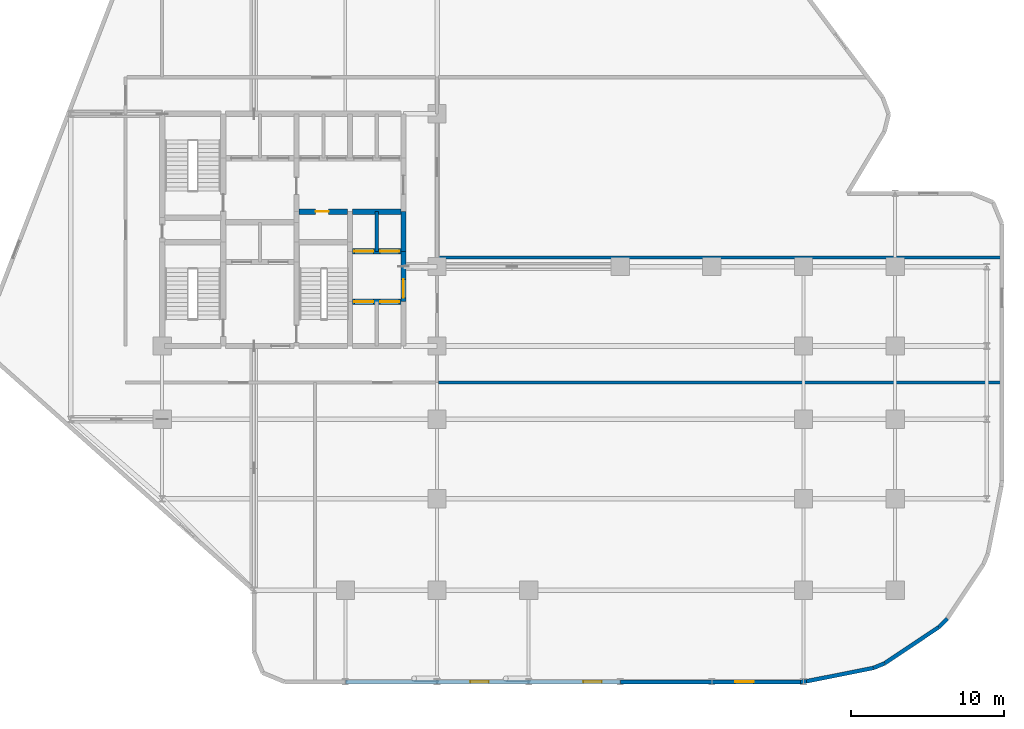
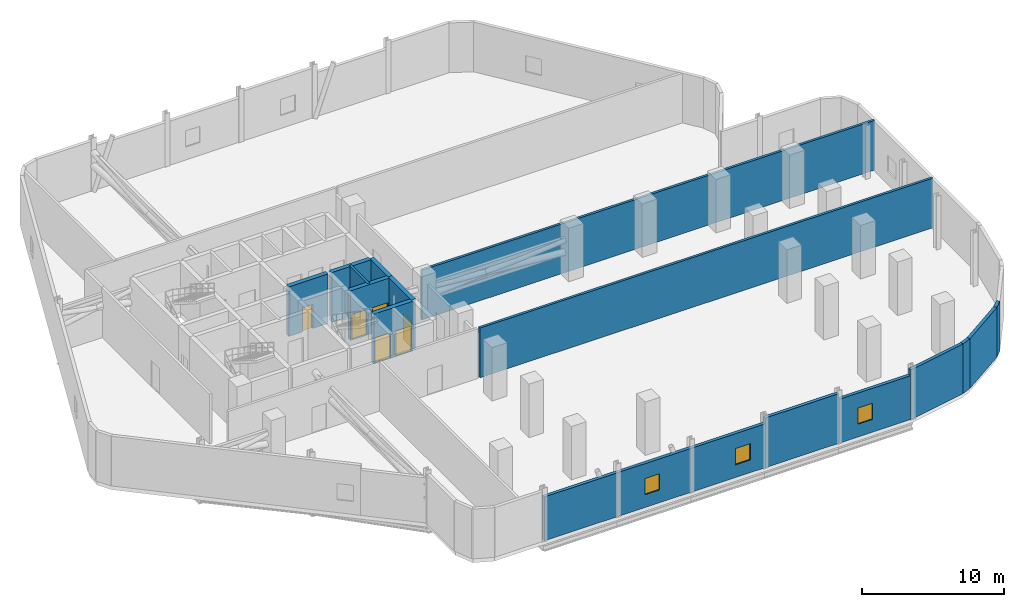
# One storey, part 6 of 9: 17 walls, 6 doors, 3 windows, 9 openings.
"""IFC4 building model written with IfcOpenShell, lengths in metres."""

from ifc_helpers import new_model, si_unit, direction, frame, frame_2d, origin, place, context, subcontext, project, spatial, rectangle, extrude, material, layer, layer_set, type_object, element, fill, save


model = new_model("IFC4")

# Units and contexts
model_context = context("Model", 3, precision=1e-05, world=origin(), true_north=direction((0.0, 1.0)))
body_context = subcontext(model_context, "Body", "Model", "MODEL_VIEW")
ifc_project = project(units=[si_unit("LENGTHUNIT", "METRE"), si_unit("AREAUNIT", "SQUARE_METRE"), si_unit("VOLUMEUNIT", "CUBIC_METRE"), si_unit("PLANEANGLEUNIT", "RADIAN"), si_unit("MASSUNIT", "GRAM", prefix="KILO")], contexts=[model_context])

# Site, building, storey
site_placement = place(None, origin())
site = spatial("IfcSite", under=ifc_project, at=site_placement, CompositionType="ELEMENT")
building_placement = place(site_placement, origin())
building = spatial("IfcBuilding", under=site, at=building_placement, Name="Keshet Zoharim Tower", CompositionType="ELEMENT")
storey_placement = place(building_placement, frame((0.0, 0.0, 61.0)))
storey = spatial("IfcBuildingStorey", under=building, at=storey_placement, Name="L14", CompositionType="ELEMENT", Elevation=61.0)

# Wall, opening, door
ifc_material_1 = material(Name="Concrete C60/75", Category="concrete")
ifc_layer_1 = layer(ifc_material_1, 0.35009765625)
ifc_layer_set_1 = layer_set([ifc_layer_1], Name="Concrete C60/75")
wall_type_1 = type_object("IfcWallType", Name="WL-CORE-350", PredefinedType="SHEAR", material=ifc_layer_set_1)
wall_1_placement = place(storey_placement, frame((30.800048828125, 25.60009765625, 0.0), z_axis=(0.0, 0.0, 1.0), x_axis=(0.0, 1.0, 0.0)))
wall_1 = element("IfcWall", 1, at=wall_1_placement, inside=storey, type_object=wall_type_1, Name="L14 Core Shear Wall 030", PredefinedType="SHEAR", context=body_context, shape_type="SweptSolid", body=[
    extrude(rectangle(XDim=3.2998046875, YDim=0.35009765625, at=frame_2d((1.64990234375, 0.0))), origin(), (0.0, 0.0, 1.0), 4.280029296875),
])
opening_1_placement = place(wall_1_placement, frame((0.2529296875, 0.0, 0.0)))
opening_1 = element("IfcOpeningElement", 2, at=opening_1_placement, cuts=wall_1, Name="Opening D-F612", PredefinedType="OPENING", context=body_context, shape_type="SweptSolid", body=[
    extrude(rectangle(XDim=1.199951171875, YDim=2.199951171875, at=frame_2d((0.60009765625, 1.10009765625))), frame((0.0, 0.18505859375, 0.0), z_axis=(0.0, -1.0, 0.0), x_axis=(1.0, 0.0, 0.0)), (0.0, 0.0, 1.0), 0.3701171875),
])
ifc_material_2 = material(Name="Hardwood Timber", Category="wood")
door_type_1 = type_object("IfcDoorType", Name="DR-FD60-120", OperationType="NOTDEFINED", PredefinedType="DOOR", material=ifc_material_2)
door_1_placement = place(opening_1_placement, origin())
door_1 = element("IfcDoor", 3, at=door_1_placement, inside=storey, type_object=door_type_1, Name="L14 East Lift Lobby Fire Door", OperationType="SINGLE_SWING_LEFT", OverallHeight=2.199951171875, OverallWidth=1.199951171875, PredefinedType="DOOR", context=body_context, shape_type="SweptSolid", body=[
    extrude(rectangle(XDim=1.199951171875, YDim=2.199951171875, at=frame_2d((0.60009765625, 1.10009765625))), frame((0.0, 0.02490234375, 0.0), z_axis=(0.0, -1.0, 0.0), x_axis=(1.0, 0.0, 0.0)), (0.0, 0.0, 1.0), 0.050048828125),
])
fill(opening_1, door_1)

# Wall
wall_2_placement = place(storey_placement, frame((30.800048828125, 28.89990234375, 0.0), z_axis=(0.0, 0.0, 1.0), x_axis=(0.0, 1.0, 0.0)))
element("IfcWall", 4, at=wall_2_placement, inside=storey, type_object=wall_type_1, Name="L14 Core Shear Wall 031", PredefinedType="SHEAR", context=body_context, shape_type="SweptSolid", body=[
    extrude(rectangle(XDim=2.60009765625, YDim=0.35009765625, at=frame_2d((1.300048828125, 0.0))), origin(), (0.0, 0.0, 1.0), 4.280029296875),
])

# Wall, openings, doors
wall_3_placement = place(storey_placement, frame((27.4599609375, 25.60009765625, 0.0), z_axis=(0.0, 0.0, 1.0), x_axis=(1.0, 0.0, 0.0)))
wall_3 = element("IfcWall", 5, at=wall_3_placement, inside=storey, type_object=wall_type_1, Name="L14 Core Shear Wall 042", PredefinedType="SHEAR", context=body_context, shape_type="SweptSolid", body=[
    extrude(rectangle(XDim=3.179931640625, YDim=0.35009765625, at=frame_2d((1.58984375, 0.0))), origin(), (0.0, 0.0, 1.0), 4.280029296875),
])
opening_2_placement = place(wall_3_placement, frame((0.1201171875, 0.0, 0.0)))
opening_2 = element("IfcOpeningElement", 6, at=opening_2_placement, cuts=wall_3, Name="Opening LD-01", PredefinedType="OPENING", context=body_context, shape_type="SweptSolid", body=[
    extrude(rectangle(XDim=1.25, YDim=2.199951171875, at=frame_2d((0.625, 1.10009765625))), frame((0.0, 0.18505859375, 0.0), z_axis=(0.0, -1.0, 0.0), x_axis=(1.0, 0.0, 0.0)), (0.0, 0.0, 1.0), 0.3701171875),
])
opening_3_placement = place(wall_3_placement, frame((1.81005859375, 0.0, 0.0)))
opening_3 = element("IfcOpeningElement", 7, at=opening_3_placement, cuts=wall_3, Name="Opening LD-01", PredefinedType="OPENING", context=body_context, shape_type="SweptSolid", body=[
    extrude(rectangle(XDim=1.25, YDim=2.199951171875, at=frame_2d((0.625, 1.10009765625))), frame((0.0, 0.18505859375, 0.0), z_axis=(0.0, -1.0, 0.0), x_axis=(1.0, 0.0, 0.0)), (0.0, 0.0, 1.0), 0.3701171875),
])
ifc_material_3 = material(Name="Steel S355", Category="steel")
door_type_2 = type_object("IfcDoorType", Name="DR-LD01-125", OperationType="DOUBLE_DOOR_SLIDING", PredefinedType="DOOR", material=ifc_material_3)
door_2_placement = place(opening_2_placement, origin())
door_2 = element("IfcDoor", 8, at=door_2_placement, inside=storey, type_object=door_type_2, Name="L14 Passenger Lift Landing Door LF-07", OperationType="DOUBLE_DOOR_SLIDING", OverallHeight=2.199951171875, OverallWidth=1.25, PredefinedType="DOOR", context=body_context, shape_type="SweptSolid", body=[
    extrude(rectangle(XDim=1.25, YDim=2.199951171875, at=frame_2d((0.625, 1.10009765625))), frame((0.0, 0.02490234375, 0.0), z_axis=(0.0, -1.0, 0.0), x_axis=(1.0, 0.0, 0.0)), (0.0, 0.0, 1.0), 0.050048828125),
])
fill(opening_2, door_2)
door_3_placement = place(opening_3_placement, origin())
door_3 = element("IfcDoor", 9, at=door_3_placement, inside=storey, type_object=door_type_2, Name="L14 Passenger Lift Landing Door LF-08", OperationType="DOUBLE_DOOR_SLIDING", OverallHeight=2.199951171875, OverallWidth=1.25, PredefinedType="DOOR", context=body_context, shape_type="SweptSolid", body=[
    extrude(rectangle(XDim=1.25, YDim=2.199951171875, at=frame_2d((0.625, 1.10009765625))), frame((0.0, 0.02490234375, 0.0), z_axis=(0.0, -1.0, 0.0), x_axis=(1.0, 0.0, 0.0)), (0.0, 0.0, 1.0), 0.050048828125),
])
fill(opening_3, door_3)

wall_4_placement = place(storey_placement, frame((27.4599609375, 28.89990234375, 0.0), z_axis=(0.0, 0.0, 1.0), x_axis=(1.0, 0.0, 0.0)))
wall_4 = element("IfcWall", 10, at=wall_4_placement, inside=storey, type_object=wall_type_1, Name="L14 Core Shear Wall 045", PredefinedType="SHEAR", context=body_context, shape_type="SweptSolid", body=[
    extrude(rectangle(XDim=3.179931640625, YDim=0.35009765625, at=frame_2d((1.58984375, 0.0))), origin(), (0.0, 0.0, 1.0), 4.280029296875),
])
opening_4_placement = place(wall_4_placement, frame((0.1201171875, 0.0, 0.0)))
opening_4 = element("IfcOpeningElement", 11, at=opening_4_placement, cuts=wall_4, Name="Opening LD-01", PredefinedType="OPENING", context=body_context, shape_type="SweptSolid", body=[
    extrude(rectangle(XDim=1.25, YDim=2.199951171875, at=frame_2d((0.625, 1.10009765625))), frame((0.0, 0.18505859375, 0.0), z_axis=(0.0, -1.0, 0.0), x_axis=(1.0, 0.0, 0.0)), (0.0, 0.0, 1.0), 0.3701171875),
])
opening_5_placement = place(wall_4_placement, frame((1.81005859375, 0.0, 0.0)))
opening_5 = element("IfcOpeningElement", 12, at=opening_5_placement, cuts=wall_4, Name="Opening LD-01", PredefinedType="OPENING", context=body_context, shape_type="SweptSolid", body=[
    extrude(rectangle(XDim=1.25, YDim=2.199951171875, at=frame_2d((0.625, 1.10009765625))), frame((0.0, 0.18505859375, 0.0), z_axis=(0.0, -1.0, 0.0), x_axis=(1.0, 0.0, 0.0)), (0.0, 0.0, 1.0), 0.3701171875),
])
door_4_placement = place(opening_4_placement, origin())
door_4 = element("IfcDoor", 13, at=door_4_placement, inside=storey, type_object=door_type_2, Name="L14 Passenger Lift Landing Door LF-05", OperationType="DOUBLE_DOOR_SLIDING", OverallHeight=2.199951171875, OverallWidth=1.25, PredefinedType="DOOR", context=body_context, shape_type="SweptSolid", body=[
    extrude(rectangle(XDim=1.25, YDim=2.199951171875, at=frame_2d((0.625, 1.10009765625))), frame((0.0, 0.02490234375, 0.0), z_axis=(0.0, -1.0, 0.0), x_axis=(1.0, 0.0, 0.0)), (0.0, 0.0, 1.0), 0.050048828125),
])
fill(opening_4, door_4)
door_5_placement = place(opening_5_placement, origin())
door_5 = element("IfcDoor", 14, at=door_5_placement, inside=storey, type_object=door_type_2, Name="L14 Passenger Lift Landing Door LF-06", OperationType="DOUBLE_DOOR_SLIDING", OverallHeight=2.199951171875, OverallWidth=1.25, PredefinedType="DOOR", context=body_context, shape_type="SweptSolid", body=[
    extrude(rectangle(XDim=1.25, YDim=2.199951171875, at=frame_2d((0.625, 1.10009765625))), frame((0.0, 0.02490234375, 0.0), z_axis=(0.0, -1.0, 0.0), x_axis=(1.0, 0.0, 0.0)), (0.0, 0.0, 1.0), 0.050048828125),
])
fill(opening_5, door_5)

# Wall, opening, door
wall_5_placement = place(storey_placement, frame((23.9599609375, 31.5, 0.0), z_axis=(0.0, 0.0, 1.0), x_axis=(1.0, 0.0, 0.0)))
wall_5 = element("IfcWall", 15, at=wall_5_placement, inside=storey, type_object=wall_type_1, Name="L14 Core Shear Wall 050", PredefinedType="SHEAR", context=body_context, shape_type="SweptSolid", body=[
    extrude(rectangle(XDim=3.179931640625, YDim=0.35009765625, at=frame_2d((1.58984375, 0.0))), origin(), (0.0, 0.0, 1.0), 4.280029296875),
])
opening_6_placement = place(wall_5_placement, frame((1.093994140625, 0.0, 0.0)))
opening_6 = element("IfcOpeningElement", 16, at=opening_6_placement, cuts=wall_5, Name="Opening D-RS85", PredefinedType="OPENING", context=body_context, shape_type="SweptSolid", body=[
    extrude(rectangle(XDim=0.85009765625, YDim=2.10009765625, at=frame_2d((0.425048828125, 1.050048828125))), frame((0.0, 0.18505859375, 0.0), z_axis=(0.0, -1.0, 0.0), x_axis=(1.0, 0.0, 0.0)), (0.0, 0.0, 1.0), 0.3701171875),
])
door_type_3 = type_object("IfcDoorType", Name="DR-RIS-085", OperationType="NOTDEFINED", PredefinedType="DOOR", material=ifc_material_2)
door_6_placement = place(opening_6_placement, origin())
door_6 = element("IfcDoor", 17, at=door_6_placement, inside=storey, type_object=door_type_3, Name="L14 Telecom Riser Access Cupboard Door", OperationType="SINGLE_SWING_RIGHT", OverallHeight=2.10009765625, OverallWidth=0.85009765625, PredefinedType="DOOR", context=body_context, shape_type="SweptSolid", body=[
    extrude(rectangle(XDim=0.85009765625, YDim=2.10009765625, at=frame_2d((0.425048828125, 1.050048828125))), frame((0.0, 0.02490234375, 0.0), z_axis=(0.0, -1.0, 0.0), x_axis=(1.0, 0.0, 0.0)), (0.0, 0.0, 1.0), 0.050048828125),
])
fill(opening_6, door_6)

# Walls
wall_6_placement = place(storey_placement, frame((27.4599609375, 31.5, 0.0), z_axis=(0.0, 0.0, 1.0), x_axis=(1.0, 0.0, 0.0)))
element("IfcWall", 18, at=wall_6_placement, inside=storey, type_object=wall_type_1, Name="L14 Core Shear Wall 051", PredefinedType="SHEAR", context=body_context, shape_type="SweptSolid", body=[
    extrude(rectangle(XDim=3.179931640625, YDim=0.35009765625, at=frame_2d((1.58984375, 0.0))), origin(), (0.0, 0.0, 1.0), 4.280029296875),
])
ifc_material_4 = material(Name="Concrete C50/60 precast", Category="concrete")
ifc_layer_2 = layer(ifc_material_4, 0.260009765625)
ifc_layer_set_2 = layer_set([ifc_layer_2], Name="Concrete C50/60 precast")
wall_type_2 = type_object("IfcWallType", Name="WL-EXT-260", PredefinedType="STANDARD", material=ifc_layer_set_2)
wall_7_placement = place(storey_placement, frame((66.4130859375, 4.837890625, 0.0), z_axis=(0.0, 0.0, 1.0), x_axis=(-0.707263446027, -0.706950081629, 0.0)))
element("IfcWall", 19, at=wall_7_placement, inside=storey, type_object=wall_type_2, Name="L14 Exterior Facade Wall 21", PredefinedType="STANDARD", context=body_context, shape_type="SweptSolid", body=[
    extrude(rectangle(XDim=0.779052734375, YDim=0.260009765625, at=frame_2d((0.3896484375, 0.0))), origin(), (0.0, 0.0, 1.0), 4.280029296875),
])
wall_8_placement = place(storey_placement, frame((65.862060546875, 4.287109375, 0.0), z_axis=(0.0, 0.0, 1.0), x_axis=(-0.831461438998, -0.55558246504, 0.0)))
element("IfcWall", 20, at=wall_8_placement, inside=storey, type_object=wall_type_2, Name="L14 Exterior Facade Wall 22", PredefinedType="STANDARD", context=body_context, shape_type="SweptSolid", body=[
    extrude(rectangle(XDim=4.277099609375, YDim=0.260009765625, at=frame_2d((2.138671875, 0.0))), origin(), (0.0, 0.0, 1.0), 4.280029296875),
])
wall_9_placement = place(storey_placement, frame((62.305908203125, 1.910888671875, 0.0), z_axis=(0.0, 0.0, 1.0), x_axis=(-0.923787999311, -0.382904338353, 0.0)))
element("IfcWall", 21, at=wall_9_placement, inside=storey, type_object=wall_type_2, Name="L14 Exterior Facade Wall 23", PredefinedType="STANDARD", context=body_context, shape_type="SweptSolid", body=[
    extrude(rectangle(XDim=0.780517578125, YDim=0.260009765625, at=frame_2d((0.39013671875, 0.0))), origin(), (0.0, 0.0, 1.0), 4.280029296875),
])
wall_10_placement = place(storey_placement, frame((61.5849609375, 1.612060546875, 0.0), z_axis=(0.0, 0.0, 1.0), x_axis=(-0.980766859102, -0.19518290931, 0.0)))
element("IfcWall", 22, at=wall_10_placement, inside=storey, type_object=wall_type_2, Name="L14 Exterior Facade Wall 24", PredefinedType="STANDARD", context=body_context, shape_type="SweptSolid", body=[
    extrude(rectangle(XDim=4.47802734375, YDim=0.260009765625, at=frame_2d((2.239013671875, 0.0))), origin(), (0.0, 0.0, 1.0), 4.280029296875),
])
wall_11_placement = place(storey_placement, frame((57.193115234375, 0.738037109375, 0.0), z_axis=(0.0, 0.0, 1.0), x_axis=(-0.995268759893, -0.097160154282, 0.0)))
element("IfcWall", 23, at=wall_11_placement, inside=storey, type_object=wall_type_2, Name="L14 Exterior Facade Wall 25", PredefinedType="STANDARD", context=body_context, shape_type="SweptSolid", body=[
    extrude(rectangle(XDim=0.39208984375, YDim=0.260009765625, at=frame_2d((0.196044921875, 0.0))), origin(), (0.0, 0.0, 1.0), 4.280029296875),
])

# Wall, opening, window
wall_12_placement = place(storey_placement, frame((56.802978515625, 0.699951171875, 0.0), z_axis=(0.0, 0.0, 1.0), x_axis=(-1.0, 0.0, 0.0)))
wall_12 = element("IfcWall", 24, at=wall_12_placement, inside=storey, type_object=wall_type_2, Name="L14 Exterior Facade Wall 26", PredefinedType="STANDARD", context=body_context, shape_type="SweptSolid", body=[
    extrude(rectangle(XDim=5.802978515625, YDim=0.260009765625, at=frame_2d((2.9013671875, 0.0))), origin(), (0.0, 0.0, 1.0), 3.780029296875),
])
opening_7_placement = place(wall_12_placement, frame((3.074951171875, 0.0, 1.10009765625)))
opening_7 = element("IfcOpeningElement", 25, at=opening_7_placement, cuts=wall_12, Name="Opening W-120", PredefinedType="OPENING", context=body_context, shape_type="SweptSolid", body=[
    extrude(rectangle(XDim=1.199951171875, YDim=1.39990234375, at=frame_2d((0.60009765625, 0.699951171875))), frame((0.0, 0.14013671875, 0.0), z_axis=(0.0, -1.0, 0.0), x_axis=(1.0, 0.0, 0.0)), (0.0, 0.0, 1.0), 0.280029296875),
])
ifc_material_5 = material(Name="Insulated Low-E Clear Glass", Category="glass")
window_type = type_object("IfcWindowType", Name="WN-REF-120", PartitioningType="SINGLE_PANEL", PredefinedType="WINDOW", material=ifc_material_5)
window_1_placement = place(opening_7_placement, origin())
window_1 = element("IfcWindow", 26, at=window_1_placement, inside=storey, type_object=window_type, Name="L14 Refuge Smoke Window 10", OverallHeight=1.39990234375, OverallWidth=1.199951171875, PartitioningType="SINGLE_PANEL", PredefinedType="WINDOW", context=body_context, shape_type="SweptSolid", body=[
    extrude(rectangle(XDim=1.199951171875, YDim=1.39990234375, at=frame_2d((0.60009765625, 0.699951171875))), frame((0.0, 0.030029296875, 0.0), z_axis=(0.0, -1.0, 0.0), x_axis=(1.0, 0.0, 0.0)), (0.0, 0.0, 1.0), 0.06005859375),
])
fill(opening_7, window_1)

# Wall
wall_13_placement = place(storey_placement, frame((51.0, 0.699951171875, 0.0), z_axis=(0.0, 0.0, 1.0), x_axis=(-1.0, 0.0, 0.0)))
element("IfcWall", 27, at=wall_13_placement, inside=storey, type_object=wall_type_2, Name="L14 Exterior Facade Wall 26 Part 2", PredefinedType="STANDARD", context=body_context, shape_type="SweptSolid", body=[
    extrude(rectangle(XDim=6.0, YDim=0.260009765625, at=frame_2d((3.0, 0.0))), origin(), (0.0, 0.0, 1.0), 4.280029296875),
])

# Wall, openings, windows
wall_14_placement = place(storey_placement, frame((45.0, 0.699951171875, 0.0), z_axis=(0.0, 0.0, 1.0), x_axis=(-1.0, 0.0, 0.0)))
wall_14 = element("IfcWall", 28, at=wall_14_placement, inside=storey, type_object=wall_type_2, Name="L14 Exterior Facade Wall 26 Part 3", PredefinedType="STANDARD", context=body_context, shape_type="SweptSolid", body=[
    extrude(rectangle(XDim=18.0, YDim=0.260009765625, at=frame_2d((9.0, 0.0))), origin(), (0.0, 0.0, 1.0), 3.780029296875),
])
opening_8_placement = place(wall_14_placement, frame((1.222900390625, 0.0, 1.10009765625)))
opening_8 = element("IfcOpeningElement", 29, at=opening_8_placement, cuts=wall_14, Name="Opening W-120", PredefinedType="OPENING", context=body_context, shape_type="SweptSolid", body=[
    extrude(rectangle(XDim=1.199951171875, YDim=1.39990234375, at=frame_2d((0.60009765625, 0.699951171875))), frame((0.0, 0.14013671875, 0.0), z_axis=(0.0, -1.0, 0.0), x_axis=(1.0, 0.0, 0.0)), (0.0, 0.0, 1.0), 0.280029296875),
])
opening_9_placement = place(wall_14_placement, frame((8.6240234375, 0.0, 1.10009765625)))
opening_9 = element("IfcOpeningElement", 30, at=opening_9_placement, cuts=wall_14, Name="Opening W-120", PredefinedType="OPENING", context=body_context, shape_type="SweptSolid", body=[
    extrude(rectangle(XDim=1.199951171875, YDim=1.39990234375, at=frame_2d((0.60009765625, 0.699951171875))), frame((0.0, 0.14013671875, 0.0), z_axis=(0.0, -1.0, 0.0), x_axis=(1.0, 0.0, 0.0)), (0.0, 0.0, 1.0), 0.280029296875),
])
window_2_placement = place(opening_8_placement, origin())
window_2 = element("IfcWindow", 31, at=window_2_placement, inside=storey, type_object=window_type, Name="L14 Refuge Smoke Window 11", OverallHeight=1.39990234375, OverallWidth=1.199951171875, PartitioningType="SINGLE_PANEL", PredefinedType="WINDOW", context=body_context, shape_type="SweptSolid", body=[
    extrude(rectangle(XDim=1.199951171875, YDim=1.39990234375, at=frame_2d((0.60009765625, 0.699951171875))), frame((0.0, 0.030029296875, 0.0), z_axis=(0.0, -1.0, 0.0), x_axis=(1.0, 0.0, 0.0)), (0.0, 0.0, 1.0), 0.06005859375),
])
fill(opening_8, window_2)
window_3_placement = place(opening_9_placement, origin())
window_3 = element("IfcWindow", 32, at=window_3_placement, inside=storey, type_object=window_type, Name="L14 Refuge Smoke Window 12", OverallHeight=1.39990234375, OverallWidth=1.199951171875, PartitioningType="SINGLE_PANEL", PredefinedType="WINDOW", context=body_context, shape_type="SweptSolid", body=[
    extrude(rectangle(XDim=1.199951171875, YDim=1.39990234375, at=frame_2d((0.60009765625, 0.699951171875))), frame((0.0, 0.030029296875, 0.0), z_axis=(0.0, -1.0, 0.0), x_axis=(1.0, 0.0, 0.0)), (0.0, 0.0, 1.0), 0.06005859375),
])
fill(opening_9, window_3)

# Walls
ifc_material_6 = material(Name="Concrete C50/60", Category="concrete")
ifc_layer_3 = layer(ifc_material_6, 0.199951171875)
ifc_layer_set_3 = layer_set([ifc_layer_3], Name="Concrete C50/60")
wall_type_3 = type_object("IfcWallType", Name="WL-FIRE-200", PredefinedType="STANDARD", material=ifc_layer_set_3)
wall_15_placement = place(storey_placement, frame((29.050048828125, 28.89990234375, 0.0), z_axis=(0.0, 0.0, 1.0), x_axis=(0.0, 1.0, 0.0)))
element("IfcWall", 33, at=wall_15_placement, inside=storey, type_object=wall_type_3, Name="L14 Interior Wall 027", PredefinedType="STANDARD", context=body_context, shape_type="SweptSolid", body=[
    extrude(rectangle(XDim=2.60009765625, YDim=0.199951171875, at=frame_2d((1.300048828125, 0.0))), origin(), (0.0, 0.0, 1.0), 4.280029296875),
])
for number, where, z_axis, x_axis, name in (
    (34, (33.0849609375, 20.300048828125, 0.0), (0.0, 0.0, 1.0), (1.0, 0.0, 0.0), "L14 Interior Wall 037"),
    (35, (33.0849609375, 28.5, 0.0), (0.0, 0.0, 1.0), (1.0, 0.0, 0.0), "L14 Interior Wall 044"),
):
    element("IfcWall", number, at=place(storey_placement, frame(where, z_axis=z_axis, x_axis=x_axis)), inside=storey, type_object=wall_type_3, Name=name, PredefinedType="STANDARD", context=body_context, shape_type="SweptSolid", body=[
        extrude(rectangle(XDim=36.905029296875, YDim=0.199951171875, at=frame_2d((18.45263671875, 0.0))), origin(), (0.0, 0.0, 1.0), 4.280029296875),
    ])

save(model, "model.ifc")
